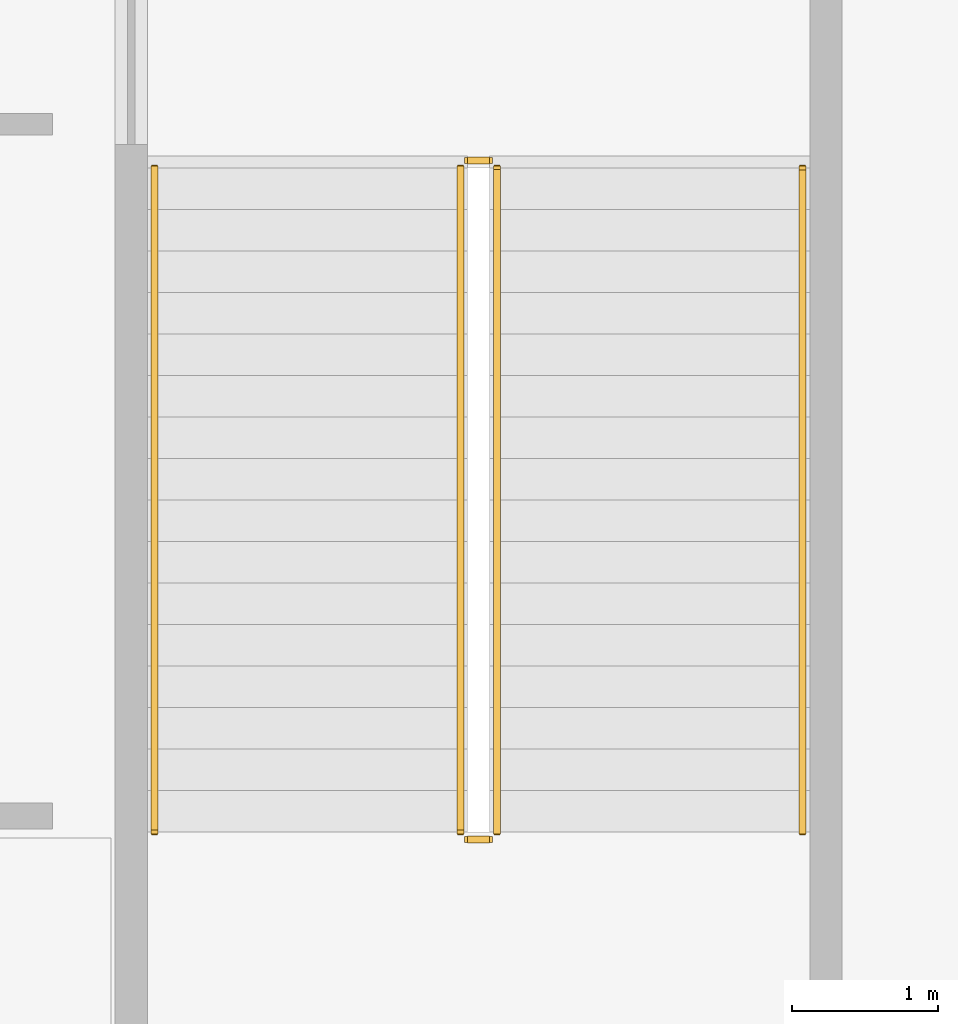
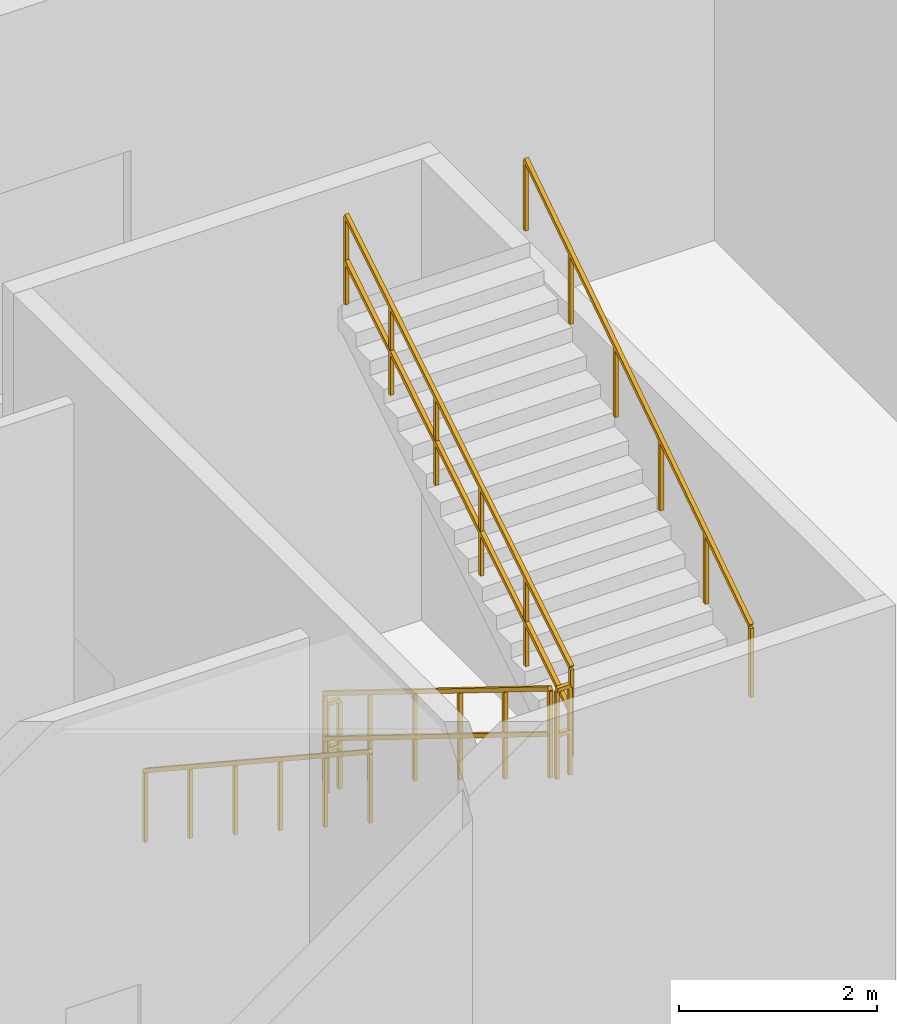
# One storey, part 24 of 24: 6 railings.
"""IFC4 building model written with IfcOpenShell, lengths in metres."""

from ifc_helpers import new_model, si_unit, direction, frame, origin, origin_2d, place, context, subcontext, project, spatial, rectangle, extrude, material, type_object, element, save


model = new_model("IFC4")

# Units and contexts
model_context = context("Model", 3, precision=1e-05, world=origin(), true_north=direction((0.0, 1.0)))
body_context = subcontext(model_context, "Body", "Model", "MODEL_VIEW")
ifc_project = project(units=[si_unit("LENGTHUNIT", "METRE"), si_unit("AREAUNIT", "SQUARE_METRE"), si_unit("VOLUMEUNIT", "CUBIC_METRE"), si_unit("PLANEANGLEUNIT", "RADIAN"), si_unit("MASSUNIT", "GRAM", prefix="KILO")], contexts=[model_context])

# Site, building, storey
site_placement = place(None, origin())
site = spatial("IfcSite", under=ifc_project, at=site_placement, CompositionType="ELEMENT")
building_placement = place(site_placement, origin())
building = spatial("IfcBuilding", under=site, at=building_placement, Name="Apsidion Concourse Tower", CompositionType="ELEMENT")
storey_placement = place(building_placement, frame((0.0, 0.0, 17.5)))
storey = spatial("IfcBuildingStorey", under=building, at=storey_placement, Name="L03", CompositionType="ELEMENT", Elevation=17.5)

# Railings
ifc_material = material(Name="Brushed stainless steel 316", Category="steel")
railing_type_1 = type_object("IfcRailingType", Name="RL-GUARD-1100", PredefinedType="GUARDRAIL", material=ifc_material)
railing_1_placement = place(storey_placement, frame((31.800048828125, 22.60009765625, 0.176513671875)))
element("IfcRailing", 1, at=railing_1_placement, inside=storey, type_object=railing_type_1, Name="L03 ST-P4 stair guard 1", PredefinedType="GUARDRAIL", context=body_context, shape_type="SweptSolid", body=[
    extrude(rectangle(XDim=0.048095703125, YDim=0.048095703125, at=origin_2d()), frame((0.0, 0.0, 1.09619140625), z_axis=(0.0, -0.850215668316, 0.526434532824), x_axis=(1.0, 0.0, 0.0)), (0.0, 0.0, 1.0), 5.363525390625),
    extrude(rectangle(XDim=0.048095703125, YDim=0.048095703125, at=origin_2d()), frame((0.0, 0.0, 0.5361328125), z_axis=(0.0, -0.850215668316, 0.526434532824), x_axis=(1.0, 0.0, 0.0)), (0.0, 0.0, 1.0), 5.363525390625),
    extrude(rectangle(XDim=0.0419921875, YDim=0.0419921875, at=origin_2d()), origin(), (0.0, 0.0, 1.0), 1.072021484375),
    extrude(rectangle(XDim=0.0419921875, YDim=0.0419921875, at=origin_2d()), frame((0.0, -0.912109375, 0.564697265625)), (0.0, 0.0, 1.0), 1.072021484375),
    extrude(rectangle(XDim=0.0419921875, YDim=0.0419921875, at=origin_2d()), frame((0.0, -1.823974609375, 1.12939453125)), (0.0, 0.0, 1.0), 1.072021484375),
    extrude(rectangle(XDim=0.0419921875, YDim=0.0419921875, at=origin_2d()), frame((0.0, -2.736083984375, 1.694091796875)), (0.0, 0.0, 1.0), 1.072021484375),
    extrude(rectangle(XDim=0.0419921875, YDim=0.0419921875, at=origin_2d()), frame((0.0, -3.64794921875, 2.2587890625)), (0.0, 0.0, 1.0), 1.072021484375),
    extrude(rectangle(XDim=0.0419921875, YDim=0.0419921875, at=origin_2d()), frame((0.0, -4.56005859375, 2.823486328125)), (0.0, 0.0, 1.0), 1.072021484375),
])
railing_2_placement = place(storey_placement, frame((31.85009765625, 17.989990234375, 3.0)))
element("IfcRailing", 2, at=railing_2_placement, inside=storey, type_object=railing_type_1, Name="L03 ST-P4 stair guard 2", PredefinedType="GUARDRAIL", context=body_context, shape_type="SweptSolid", body=[
    extrude(rectangle(XDim=0.048095703125, YDim=0.048095703125, at=origin_2d()), frame((0.0, 0.0, 1.09619140625), z_axis=(1.0, 0.0, 0.0), x_axis=(0.0, 1.0, 0.0)), (0.0, 0.0, 1.0), 0.14990234375),
    extrude(rectangle(XDim=0.048095703125, YDim=0.048095703125, at=origin_2d()), frame((0.0, 0.0, 0.5361328125), z_axis=(1.0, 0.0, 0.0), x_axis=(0.0, 1.0, 0.0)), (0.0, 0.0, 1.0), 0.14990234375),
    extrude(rectangle(XDim=0.0419921875, YDim=0.0419921875, at=origin_2d()), origin(), (0.0, 0.0, 1.0), 1.072021484375),
    extrude(rectangle(XDim=0.0419921875, YDim=0.0419921875, at=origin_2d()), frame((0.14990234375, 0.0, 0.0)), (0.0, 0.0, 1.0), 1.072021484375),
])
railing_3_placement = place(storey_placement, frame((32.050048828125, 18.0400390625, 3.176513671875)))
element("IfcRailing", 3, at=railing_3_placement, inside=storey, type_object=railing_type_1, Name="L03 ST-P4 stair guard 3", PredefinedType="GUARDRAIL", context=body_context, shape_type="SweptSolid", body=[
    extrude(rectangle(XDim=0.048095703125, YDim=0.048095703125, at=origin_2d()), frame((0.0, 0.0, 1.09619140625), z_axis=(0.0, 0.850215668316, 0.526434532824), x_axis=(-1.0, 0.0, 0.0)), (0.0, 0.0, 1.0), 5.363525390625),
    extrude(rectangle(XDim=0.048095703125, YDim=0.048095703125, at=origin_2d()), frame((0.0, 0.0, 0.5361328125), z_axis=(0.0, 0.850215668316, 0.526434532824), x_axis=(-1.0, 0.0, 0.0)), (0.0, 0.0, 1.0), 5.363525390625),
    extrude(rectangle(XDim=0.0419921875, YDim=0.0419921875, at=origin_2d()), origin(), (0.0, 0.0, 1.0), 1.072021484375),
    extrude(rectangle(XDim=0.0419921875, YDim=0.0419921875, at=origin_2d()), frame((0.0, 0.912109375, 0.564697265625)), (0.0, 0.0, 1.0), 1.072021484375),
    extrude(rectangle(XDim=0.0419921875, YDim=0.0419921875, at=origin_2d()), frame((0.0, 1.823974609375, 1.12939453125)), (0.0, 0.0, 1.0), 1.072021484375),
    extrude(rectangle(XDim=0.0419921875, YDim=0.0419921875, at=origin_2d()), frame((0.0, 2.736083984375, 1.694091796875)), (0.0, 0.0, 1.0), 1.072021484375),
    extrude(rectangle(XDim=0.0419921875, YDim=0.0419921875, at=origin_2d()), frame((0.0, 3.64794921875, 2.2587890625)), (0.0, 0.0, 1.0), 1.072021484375),
    extrude(rectangle(XDim=0.0419921875, YDim=0.0419921875, at=origin_2d()), frame((0.0, 4.56005859375, 2.823486328125)), (0.0, 0.0, 1.0), 1.072021484375),
])
railing_4_placement = place(storey_placement, frame((31.85009765625, 22.64990234375, 0.0)))
element("IfcRailing", 4, at=railing_4_placement, inside=storey, type_object=railing_type_1, Name="L03 ST-P4 stair guard 4", PredefinedType="GUARDRAIL", context=body_context, shape_type="SweptSolid", body=[
    extrude(rectangle(XDim=0.048095703125, YDim=0.048095703125, at=origin_2d()), frame((0.0, 0.0, 1.09619140625), z_axis=(1.0, 0.0, 0.0), x_axis=(0.0, 1.0, 0.0)), (0.0, 0.0, 1.0), 0.14990234375),
    extrude(rectangle(XDim=0.048095703125, YDim=0.048095703125, at=origin_2d()), frame((0.0, 0.0, 0.5361328125), z_axis=(1.0, 0.0, 0.0), x_axis=(0.0, 1.0, 0.0)), (0.0, 0.0, 1.0), 0.14990234375),
    extrude(rectangle(XDim=0.0419921875, YDim=0.0419921875, at=origin_2d()), origin(), (0.0, 0.0, 1.0), 1.072021484375),
    extrude(rectangle(XDim=0.0419921875, YDim=0.0419921875, at=origin_2d()), frame((0.14990234375, 0.0, 0.0)), (0.0, 0.0, 1.0), 1.072021484375),
])
railing_type_2 = type_object("IfcRailingType", Name="RL-HAND-900", PredefinedType="HANDRAIL", material=ifc_material)
railing_5_placement = place(storey_placement, frame((29.699951171875, 22.60009765625, 0.176513671875)))
element("IfcRailing", 5, at=railing_5_placement, inside=storey, type_object=railing_type_2, Name="L03 ST-P4 stair handrail 1", PredefinedType="HANDRAIL", context=body_context, shape_type="SweptSolid", body=[
    extrude(rectangle(XDim=0.048095703125, YDim=0.048095703125, at=origin_2d()), frame((0.0, 0.0, 0.8759765625), z_axis=(0.0, -0.835420324919, 0.549611572578), x_axis=(1.0, 0.0, 0.0)), (0.0, 0.0, 1.0), 5.45849609375),
    extrude(rectangle(XDim=0.0419921875, YDim=0.0419921875, at=origin_2d()), origin(), (0.0, 0.0, 1.0), 0.851806640625),
    extrude(rectangle(XDim=0.0419921875, YDim=0.0419921875, at=origin_2d()), frame((0.0, -0.912109375, 0.60009765625)), (0.0, 0.0, 1.0), 0.851806640625),
    extrude(rectangle(XDim=0.0419921875, YDim=0.0419921875, at=origin_2d()), frame((0.0, -1.823974609375, 1.199951171875)), (0.0, 0.0, 1.0), 0.851806640625),
    extrude(rectangle(XDim=0.0419921875, YDim=0.0419921875, at=origin_2d()), frame((0.0, -2.736083984375, 1.800048828125)), (0.0, 0.0, 1.0), 0.851806640625),
    extrude(rectangle(XDim=0.0419921875, YDim=0.0419921875, at=origin_2d()), frame((0.0, -3.64794921875, 2.39990234375)), (0.0, 0.0, 1.0), 0.851806640625),
    extrude(rectangle(XDim=0.0419921875, YDim=0.0419921875, at=origin_2d()), frame((0.0, -4.56005859375, 3.0)), (0.0, 0.0, 1.0), 0.851806640625),
])
railing_6_placement = place(storey_placement, frame((34.14990234375, 18.0400390625, 3.176513671875)))
element("IfcRailing", 6, at=railing_6_placement, inside=storey, type_object=railing_type_2, Name="L03 ST-P4 stair handrail 2", PredefinedType="HANDRAIL", context=body_context, shape_type="SweptSolid", body=[
    extrude(rectangle(XDim=0.048095703125, YDim=0.048095703125, at=origin_2d()), frame((0.0, 0.0, 0.8759765625), z_axis=(0.0, 0.835420324919, 0.549611572578), x_axis=(-1.0, 0.0, 0.0)), (0.0, 0.0, 1.0), 5.45849609375),
    extrude(rectangle(XDim=0.0419921875, YDim=0.0419921875, at=origin_2d()), origin(), (0.0, 0.0, 1.0), 0.851806640625),
    extrude(rectangle(XDim=0.0419921875, YDim=0.0419921875, at=origin_2d()), frame((0.0, 0.912109375, 0.60009765625)), (0.0, 0.0, 1.0), 0.851806640625),
    extrude(rectangle(XDim=0.0419921875, YDim=0.0419921875, at=origin_2d()), frame((0.0, 1.823974609375, 1.199951171875)), (0.0, 0.0, 1.0), 0.851806640625),
    extrude(rectangle(XDim=0.0419921875, YDim=0.0419921875, at=origin_2d()), frame((0.0, 2.736083984375, 1.800048828125)), (0.0, 0.0, 1.0), 0.851806640625),
    extrude(rectangle(XDim=0.0419921875, YDim=0.0419921875, at=origin_2d()), frame((0.0, 3.64794921875, 2.39990234375)), (0.0, 0.0, 1.0), 0.851806640625),
    extrude(rectangle(XDim=0.0419921875, YDim=0.0419921875, at=origin_2d()), frame((0.0, 4.56005859375, 3.0)), (0.0, 0.0, 1.0), 0.851806640625),
])

save(model, "model.ifc")
